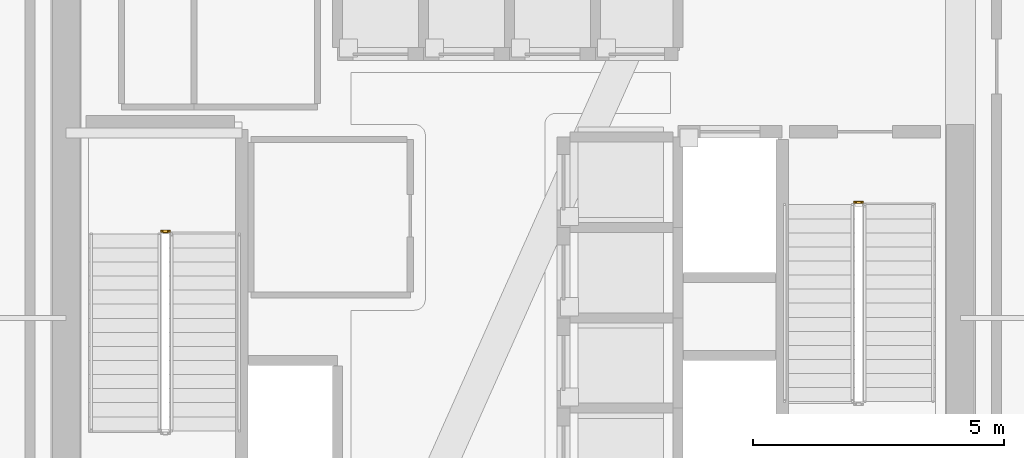
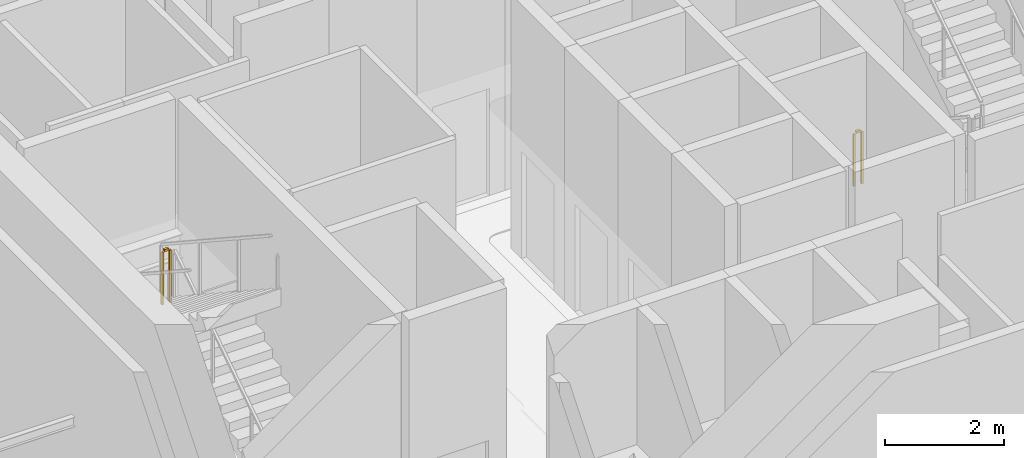
# One storey, part 24 of 27: 2 railings.
"""IFC4 building model written with IfcOpenShell, lengths in metres."""

from ifc_helpers import new_model, si_unit, direction, frame, origin, origin_2d, place, context, subcontext, project, spatial, rectangle, extrude, material, type_object, element, save


model = new_model("IFC4")

# Units and contexts
model_context = context("Model", 3, precision=1e-05, world=origin(), true_north=direction((0.0, 1.0)))
body_context = subcontext(model_context, "Body", "Model", "MODEL_VIEW")
ifc_project = project(units=[si_unit("LENGTHUNIT", "METRE"), si_unit("AREAUNIT", "SQUARE_METRE"), si_unit("VOLUMEUNIT", "CUBIC_METRE"), si_unit("PLANEANGLEUNIT", "RADIAN"), si_unit("MASSUNIT", "GRAM", prefix="KILO")], contexts=[model_context])

# Site, building, storey
site_placement = place(None, origin())
site = spatial("IfcSite", under=ifc_project, at=site_placement, CompositionType="ELEMENT")
building_placement = place(site_placement, origin())
building = spatial("IfcBuilding", under=site, at=building_placement, Name="Tharavind Bronze Gate", CompositionType="ELEMENT")
storey_placement = place(building_placement, origin())
storey = spatial("IfcBuildingStorey", under=building, at=storey_placement, Name="L00", CompositionType="ELEMENT", Elevation=0.0)

# Railings
ifc_material = material(Name="Brushed Bronze Alloy", Category="metal")
railing_type = type_object("IfcRailingType", Name="STAIR WELL GUARD RAILING 1120", PredefinedType="GUARDRAIL", material=ifc_material)
railing_1_placement = place(storey_placement, frame((-6.85009765625, 1.719970703125, 2.75)))
element("IfcRailing", 1, at=railing_1_placement, inside=storey, type_object=railing_type, Name="L00 ST1 stair guard 2", PredefinedType="GUARDRAIL", context=body_context, shape_type="SweptSolid", body=[
    extrude(rectangle(XDim=0.048095703125, YDim=0.048095703125, at=origin_2d()), frame((-0.031982421875, 0.0, 1.09619140625), z_axis=(-1.0, 0.0, 0.0), x_axis=(0.0, -1.0, 0.0)), (0.0, 0.0, 1.0), 0.0859375),
    extrude(rectangle(XDim=0.0400390625, YDim=0.0400390625, at=origin_2d()), origin(), (0.0, 0.0, 1.0), 1.068115234375),
    extrude(rectangle(XDim=0.0400390625, YDim=0.0400390625, at=origin_2d()), frame((-0.14990234375, 0.0, 0.0)), (0.0, 0.0, 1.0), 1.068115234375),
])
railing_2_placement = place(storey_placement, frame((6.800048828125, 2.300048828125, 0.0)))
element("IfcRailing", 2, at=railing_2_placement, inside=storey, type_object=railing_type, Name="L00 ST2 stair guard 4", PredefinedType="GUARDRAIL", context=body_context, shape_type="SweptSolid", body=[
    extrude(rectangle(XDim=0.048095703125, YDim=0.048095703125, at=origin_2d()), frame((0.031982421875, 0.0, 1.09619140625), z_axis=(1.0, 0.0, 0.0), x_axis=(0.0, 1.0, 0.0)), (0.0, 0.0, 1.0), 0.0859375),
    extrude(rectangle(XDim=0.0400390625, YDim=0.0400390625, at=origin_2d()), origin(), (0.0, 0.0, 1.0), 1.068115234375),
    extrude(rectangle(XDim=0.0400390625, YDim=0.0400390625, at=origin_2d()), frame((0.14990234375, 0.0, 0.0)), (0.0, 0.0, 1.0), 1.068115234375),
])

save(model, "model.ifc")
